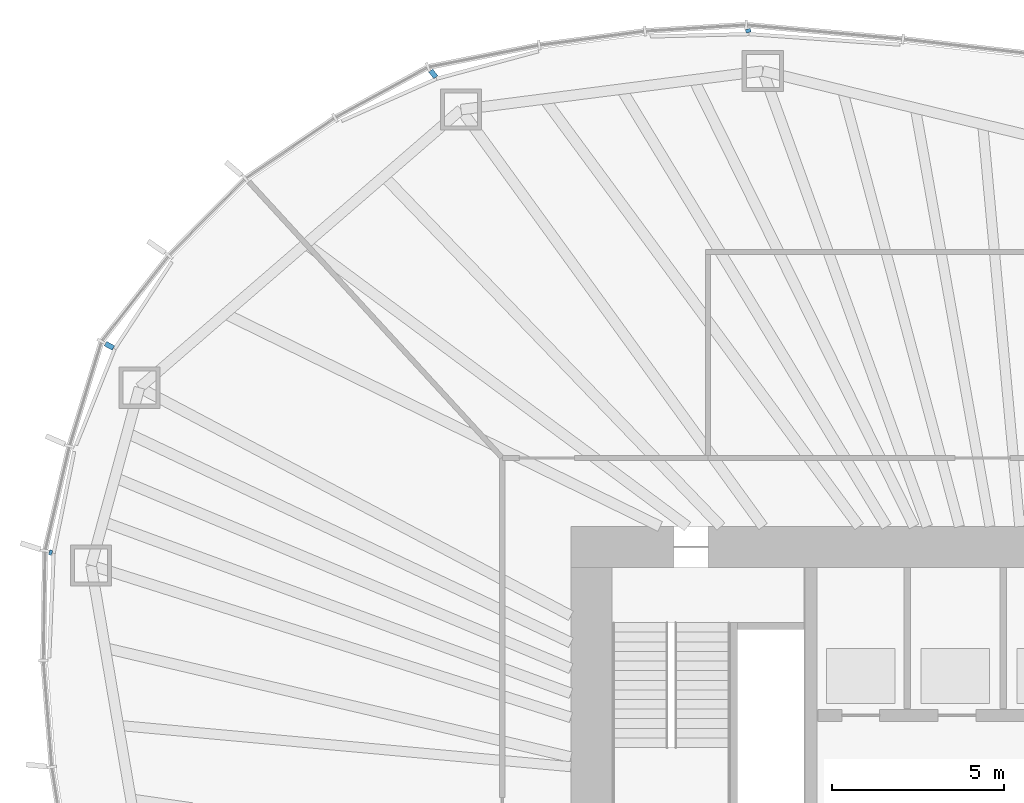
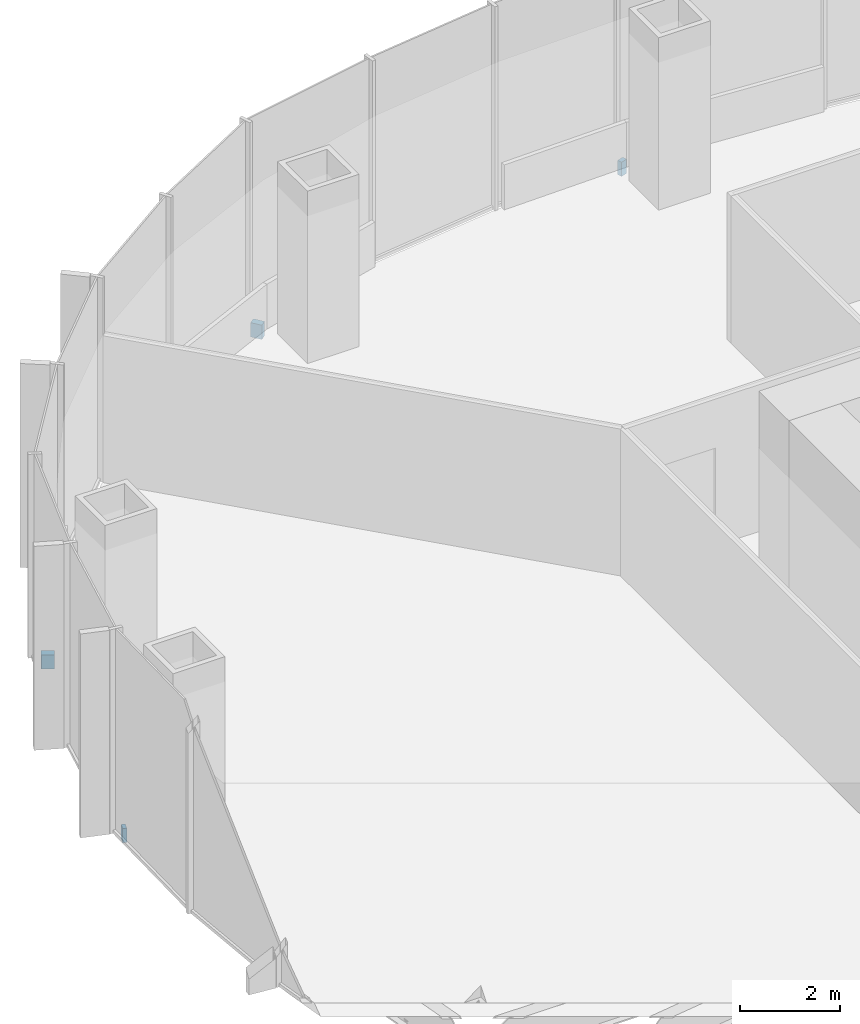
# One storey, part 14 of 18: 4 discrete accessories.
"""IFC4 building model written with IfcOpenShell, lengths in metres."""

from ifc_helpers import new_model, si_unit, direction, frame, origin, origin_2d, place, context, subcontext, project, spatial, rectangle, extrude, material, type_object, element, save


model = new_model("IFC4")

# Units and contexts
model_context = context("Model", 3, precision=1e-05, world=origin(), true_north=direction((0.0, 1.0)))
body_context = subcontext(model_context, "Body", "Model", "MODEL_VIEW")
ifc_project = project(units=[si_unit("LENGTHUNIT", "METRE"), si_unit("AREAUNIT", "SQUARE_METRE"), si_unit("VOLUMEUNIT", "CUBIC_METRE"), si_unit("PLANEANGLEUNIT", "RADIAN"), si_unit("MASSUNIT", "GRAM", prefix="KILO")], contexts=[model_context])

# Site, building, storey
site_placement = place(None, origin())
site = spatial("IfcSite", under=ifc_project, at=site_placement, CompositionType="ELEMENT")
building_placement = place(site_placement, origin())
building = spatial("IfcBuilding", under=site, at=building_placement, Name="Ghaith Harvest Tower", CompositionType="ELEMENT")
storey_placement = place(building_placement, frame((0.0, 0.0, 184.800048828125)))
storey = spatial("IfcBuildingStorey", under=building, at=storey_placement, Name="L40", CompositionType="ELEMENT", Elevation=184.800048828125)

# Discrete accessories
ifc_material_1 = material(Name="Stainless steel grade 1.4401", Category="steel")
discrete_accessory_type_1 = type_object("IfcDiscreteAccessoryType", Name="CURTAIN WALL BRACKET 105", PredefinedType="BRACKET", material=ifc_material_1)
discrete_accessory_1_placement = place(storey_placement, frame((-8.83056640625, 24.44921875, -0.25), z_axis=(0.0, 0.0, 1.0), x_axis=(-0.339699453402, 0.94053404051, 0.0)))
element("IfcDiscreteAccessory", 1, at=discrete_accessory_1_placement, inside=storey, type_object=discrete_accessory_type_1, Name="CW-S bracket 1 bay 07 L40", PredefinedType="BRACKET", context=body_context, shape_type="SweptSolid", body=[
    extrude(rectangle(XDim=0.10498046875, YDim=0.14990234375, at=origin_2d()), origin(), (0.0, 0.0, 1.0), 0.35009765625),
])
ifc_material_2 = material(Name="Stainless steel grade 1.4401", Category="steel")
discrete_accessory_type_2 = type_object("IfcDiscreteAccessoryType", Name="CURTAIN WALL BRACKET 245", PredefinedType="BRACKET", material=ifc_material_2)
discrete_accessory_2_placement = place(storey_placement, frame((-18.01025390625, 23.190185546875, -0.25), z_axis=(0.0, 0.0, 1.0), x_axis=(-0.613377714422, 0.78978970584, 0.0)))
element("IfcDiscreteAccessory", 2, at=discrete_accessory_2_placement, inside=storey, type_object=discrete_accessory_type_2, Name="CW-S bracket 1 bay 08 L40", PredefinedType="BRACKET", context=body_context, shape_type="SweptSolid", body=[
    extrude(rectangle(XDim=0.2451171875, YDim=0.14990234375, at=origin_2d()), origin(), (0.0, 0.0, 1.0), 0.35009765625),
])
ifc_material_3 = material(Name="Stainless steel grade 1.4401", Category="steel")
discrete_accessory_type_3 = type_object("IfcDiscreteAccessoryType", Name="CURTAIN WALL BRACKET 265", PredefinedType="BRACKET", material=ifc_material_3)
discrete_accessory_3_placement = place(storey_placement, frame((-27.44970703125, 15.266845703125, -0.25), z_axis=(0.0, 0.0, 1.0), x_axis=(-0.873926916005, 0.486057347935, 0.0)))
element("IfcDiscreteAccessory", 3, at=discrete_accessory_3_placement, inside=storey, type_object=discrete_accessory_type_3, Name="CW-S bracket 2 bay 09 L40", PredefinedType="BRACKET", context=body_context, shape_type="SweptSolid", body=[
    extrude(rectangle(XDim=0.264892578125, YDim=0.14990234375, at=origin_2d()), origin(), (0.0, 0.0, 1.0), 0.35009765625),
])
ifc_material_4 = material(Name="Stainless steel grade 1.4401", Category="steel")
discrete_accessory_type_4 = type_object("IfcDiscreteAccessoryType", Name="CURTAIN WALL BRACKET 85", PredefinedType="BRACKET", material=ifc_material_4)
discrete_accessory_4_placement = place(storey_placement, frame((-29.162109375, 9.241943359375, -0.25), z_axis=(0.0, 0.0, 1.0), x_axis=(-0.953273219358, 0.302109531884, 0.0)))
element("IfcDiscreteAccessory", 4, at=discrete_accessory_4_placement, inside=storey, type_object=discrete_accessory_type_4, Name="CW-S bracket 1 bay 10 L40", PredefinedType="BRACKET", context=body_context, shape_type="SweptSolid", body=[
    extrude(rectangle(XDim=0.0849609375, YDim=0.14990234375, at=origin_2d()), origin(), (0.0, 0.0, 1.0), 0.35009765625),
])

save(model, "model.ifc")
